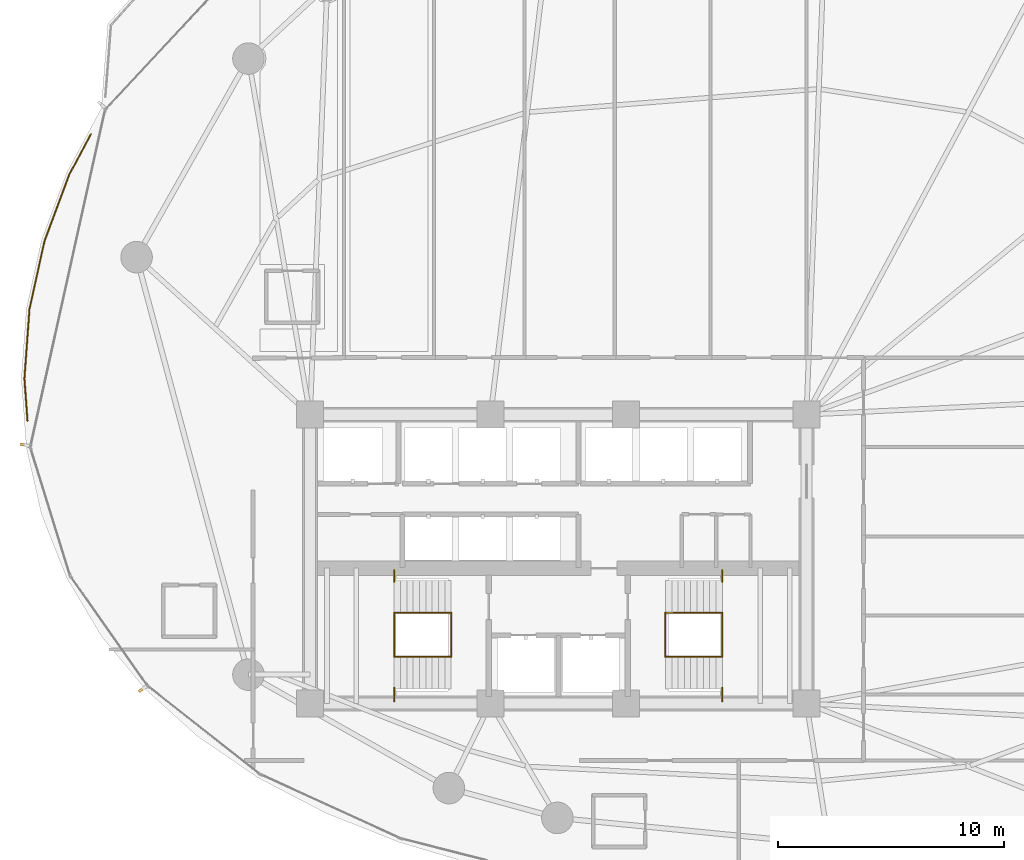
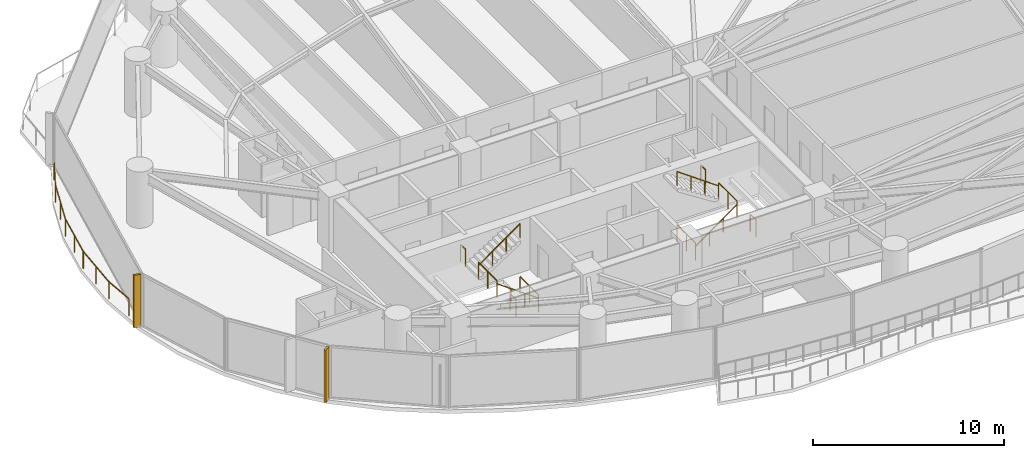
# One storey, part 30 of 33: 13 railings, 2 shading devices.
"""IFC4 building model written with IfcOpenShell, lengths in metres."""

from ifc_helpers import new_model, si_unit, direction, frame, origin, origin_2d, place, context, subcontext, project, spatial, rectangle, extrude, material, type_object, element, save


model = new_model("IFC4")

# Units and contexts
model_context = context("Model", 3, precision=1e-05, world=origin(), true_north=direction((0.0, 1.0)))
body_context = subcontext(model_context, "Body", "Model", "MODEL_VIEW")
ifc_project = project(units=[si_unit("LENGTHUNIT", "METRE"), si_unit("AREAUNIT", "SQUARE_METRE"), si_unit("VOLUMEUNIT", "CUBIC_METRE"), si_unit("PLANEANGLEUNIT", "RADIAN"), si_unit("MASSUNIT", "GRAM", prefix="KILO")], contexts=[model_context])

# Site, building, storey
site_placement = place(None, origin())
site = spatial("IfcSite", under=ifc_project, at=site_placement, CompositionType="ELEMENT")
building_placement = place(site_placement, origin())
building = spatial("IfcBuilding", under=site, at=building_placement, Name="Kazevale Care Tower and Concert Hall", CompositionType="ELEMENT")
storey_placement = place(building_placement, frame((0.0, 0.0, 27.60009765625)))
storey = spatial("IfcBuildingStorey", under=building, at=storey_placement, Name="L06", CompositionType="ELEMENT", Elevation=27.60009765625)

# Railings
ifc_material_1 = material(Name="Anodised Bronze Aluminium and Laminated Glass", Category="aluminium")
railing_type_1 = type_object("IfcRailingType", Name="Balcony and Terrace Balustrade 1120", PredefinedType="BALUSTRADE", material=ifc_material_1)
railing_1_placement = place(storey_placement, frame((9.47705078125, 36.139892578125, 0.0)))
element("IfcRailing", 1, at=railing_1_placement, inside=storey, type_object=railing_type_1, Name="rail:L06:perim:1", PredefinedType="BALUSTRADE", context=body_context, shape_type="SweptSolid", body=[
    extrude(rectangle(XDim=0.048095703125, YDim=0.048095703125, at=origin_2d()), frame((0.0, 0.0, 1.09619140625), z_axis=(-0.073432916276, 0.997300158832, 0.0), x_axis=(-0.997300158832, -0.073432916276, 0.0)), (0.0, 0.0, 1.0), 1.865234375),
    extrude(rectangle(XDim=0.048095703125, YDim=0.048095703125, at=origin_2d()), frame((-0.136962890625, 1.860107421875, 1.09619140625), z_axis=(0.072729345696, 0.997351714429, 0.0), x_axis=(-0.997351714429, 0.072729345696, 0.0)), (0.0, 0.0, 1.0), 3.078125),
    extrude(rectangle(XDim=0.048095703125, YDim=0.048095703125, at=origin_2d()), frame((0.0869140625, 4.93017578125, 1.09619140625), z_axis=(0.215148295556, 0.976581389808, 0.0), x_axis=(-0.976581389808, 0.215148295556, 0.0)), (0.0, 0.0, 1.0), 3.104736328125),
    extrude(rectangle(XDim=0.048095703125, YDim=0.048095703125, at=origin_2d()), frame((0.7548828125, 7.962158203125, 1.09619140625), z_axis=(0.350139798457, 0.936697454644, 0.0), x_axis=(-0.936697454644, 0.350139798457, 0.0)), (0.0, 0.0, 1.0), 3.15576171875),
    extrude(rectangle(XDim=0.048095703125, YDim=0.048095703125, at=origin_2d()), frame((1.85986328125, 10.918212890625, 1.09619140625), z_axis=(0.473074439741, 0.881022459682, 0.0), x_axis=(-0.881022459682, 0.473074439741, 0.0)), (0.0, 0.0, 1.0), 2.016845703125),
    extrude(rectangle(XDim=0.0419921875, YDim=0.0419921875, at=origin_2d()), origin(), (0.0, 0.0, 1.0), 1.072021484375),
    extrude(rectangle(XDim=0.0419921875, YDim=0.0419921875, at=origin_2d()), frame((-0.136962890625, 1.860107421875, 0.0)), (0.0, 0.0, 1.0), 1.072021484375),
    extrude(rectangle(XDim=0.0419921875, YDim=0.0419921875, at=origin_2d()), frame((-0.02490234375, 3.39501953125, 0.0)), (0.0, 0.0, 1.0), 1.072021484375),
    extrude(rectangle(XDim=0.0419921875, YDim=0.0419921875, at=origin_2d()), frame((0.0869140625, 4.93017578125, 0.0)), (0.0, 0.0, 1.0), 1.072021484375),
    extrude(rectangle(XDim=0.0419921875, YDim=0.0419921875, at=origin_2d()), frame((0.4208984375, 6.4462890625, 0.0)), (0.0, 0.0, 1.0), 1.072021484375),
    extrude(rectangle(XDim=0.0419921875, YDim=0.0419921875, at=origin_2d()), frame((0.7548828125, 7.962158203125, 0.0)), (0.0, 0.0, 1.0), 1.072021484375),
    extrude(rectangle(XDim=0.0419921875, YDim=0.0419921875, at=origin_2d()), frame((1.307373046875, 9.440185546875, 0.0)), (0.0, 0.0, 1.0), 1.072021484375),
    extrude(rectangle(XDim=0.0419921875, YDim=0.0419921875, at=origin_2d()), frame((1.85986328125, 10.918212890625, 0.0)), (0.0, 0.0, 1.0), 1.072021484375),
    extrude(rectangle(XDim=0.0419921875, YDim=0.0419921875, at=origin_2d()), frame((2.81396484375, 12.695068359375, 0.0)), (0.0, 0.0, 1.0), 1.072021484375),
])
ifc_material_2 = material(Name="Stainless Steel 316", Category="steel")
railing_type_2 = type_object("IfcRailingType", Name="Stair Pitch Handrail 920", PredefinedType="HANDRAIL", material=ifc_material_2)
railing_2_placement = place(storey_placement, frame((28.25, 25.679931640625, 0.0)))
element("IfcRailing", 2, at=railing_2_placement, inside=storey, type_object=railing_type_2, Name="stair:L06:ST1:hr1", PredefinedType="HANDRAIL", context=body_context, shape_type="SweptSolid", body=[
    extrude(rectangle(XDim=0.048095703125, YDim=0.048095703125, at=origin_2d()), frame((0.0, 0.0, 0.89599609375), z_axis=(-0.813765431312, 0.0, 0.581193446971), x_axis=(0.0, -1.0, 0.0)), (0.0, 0.0, 1.0), 3.0966796875),
    extrude(rectangle(XDim=0.0419921875, YDim=0.0419921875, at=origin_2d()), origin(), (0.0, 0.0, 1.0), 0.871826171875),
    extrude(rectangle(XDim=0.0419921875, YDim=0.0419921875, at=origin_2d()), frame((-0.840087890625, 0.0, 0.599853515625)), (0.0, 0.0, 1.0), 0.871826171875),
    extrude(rectangle(XDim=0.0419921875, YDim=0.0419921875, at=origin_2d()), frame((-1.679931640625, 0.0, 1.199951171875)), (0.0, 0.0, 1.0), 0.871826171875),
    extrude(rectangle(XDim=0.0419921875, YDim=0.0419921875, at=origin_2d()), frame((-2.52001953125, 0.0, 1.7998046875)), (0.0, 0.0, 1.0), 0.871826171875),
])
railing_3_placement = place(storey_placement, frame((25.72998046875, 27.6201171875, 1.7998046875)))
element("IfcRailing", 3, at=railing_3_placement, inside=storey, type_object=railing_type_2, Name="stair:L06:ST1:hr2", PredefinedType="HANDRAIL", context=body_context, shape_type="SweptSolid", body=[
    extrude(rectangle(XDim=0.048095703125, YDim=0.048095703125, at=origin_2d()), frame((0.0, 0.0, 0.89599609375), z_axis=(0.813728144527, 0.0, 0.581245650998), x_axis=(0.0, 1.0, 0.0)), (0.0, 0.0, 1.0), 3.096923828125),
    extrude(rectangle(XDim=0.0419921875, YDim=0.0419921875, at=origin_2d()), origin(), (0.0, 0.0, 1.0), 0.871826171875),
    extrude(rectangle(XDim=0.0419921875, YDim=0.0419921875, at=origin_2d()), frame((0.840087890625, 0.0, 0.60009765625)), (0.0, 0.0, 1.0), 0.871826171875),
    extrude(rectangle(XDim=0.0419921875, YDim=0.0419921875, at=origin_2d()), frame((1.679931640625, 0.0, 1.199951171875)), (0.0, 0.0, 1.0), 0.871826171875),
    extrude(rectangle(XDim=0.0419921875, YDim=0.0419921875, at=origin_2d()), frame((2.52001953125, 0.0, 1.800048828125)), (0.0, 0.0, 1.0), 0.871826171875),
])
railing_4_placement = place(storey_placement, frame((37.75, 25.679931640625, 0.0)))
element("IfcRailing", 4, at=railing_4_placement, inside=storey, type_object=railing_type_2, Name="stair:L06:ST2:hr1", PredefinedType="HANDRAIL", context=body_context, shape_type="SweptSolid", body=[
    extrude(rectangle(XDim=0.048095703125, YDim=0.048095703125, at=origin_2d()), frame((0.0, 0.0, 0.89599609375), z_axis=(0.813765431312, 0.0, 0.581193446971), x_axis=(0.0, 1.0, 0.0)), (0.0, 0.0, 1.0), 3.0966796875),
    extrude(rectangle(XDim=0.0419921875, YDim=0.0419921875, at=origin_2d()), origin(), (0.0, 0.0, 1.0), 0.871826171875),
    extrude(rectangle(XDim=0.0419921875, YDim=0.0419921875, at=origin_2d()), frame((0.840087890625, 0.0, 0.599853515625)), (0.0, 0.0, 1.0), 0.871826171875),
    extrude(rectangle(XDim=0.0419921875, YDim=0.0419921875, at=origin_2d()), frame((1.679931640625, 0.0, 1.199951171875)), (0.0, 0.0, 1.0), 0.871826171875),
    extrude(rectangle(XDim=0.0419921875, YDim=0.0419921875, at=origin_2d()), frame((2.52001953125, 0.0, 1.7998046875)), (0.0, 0.0, 1.0), 0.871826171875),
])
railing_5_placement = place(storey_placement, frame((40.27001953125, 27.6201171875, 1.7998046875)))
element("IfcRailing", 5, at=railing_5_placement, inside=storey, type_object=railing_type_2, Name="stair:L06:ST2:hr2", PredefinedType="HANDRAIL", context=body_context, shape_type="SweptSolid", body=[
    extrude(rectangle(XDim=0.048095703125, YDim=0.048095703125, at=origin_2d()), frame((0.0, 0.0, 0.89599609375), z_axis=(-0.813728144527, 0.0, 0.581245650998), x_axis=(0.0, -1.0, 0.0)), (0.0, 0.0, 1.0), 3.096923828125),
    extrude(rectangle(XDim=0.0419921875, YDim=0.0419921875, at=origin_2d()), origin(), (0.0, 0.0, 1.0), 0.871826171875),
    extrude(rectangle(XDim=0.0419921875, YDim=0.0419921875, at=origin_2d()), frame((-0.840087890625, 0.0, 0.60009765625)), (0.0, 0.0, 1.0), 0.871826171875),
    extrude(rectangle(XDim=0.0419921875, YDim=0.0419921875, at=origin_2d()), frame((-1.679931640625, 0.0, 1.199951171875)), (0.0, 0.0, 1.0), 0.871826171875),
    extrude(rectangle(XDim=0.0419921875, YDim=0.0419921875, at=origin_2d()), frame((-2.52001953125, 0.0, 1.800048828125)), (0.0, 0.0, 1.0), 0.871826171875),
])
railing_type_3 = type_object("IfcRailingType", Name="Stair Well Guard Balustrade 1120", PredefinedType="BALUSTRADE", material=ifc_material_2)
railing_6_placement = place(storey_placement, frame((25.72998046875, 23.699951171875, 1.7998046875)))
element("IfcRailing", 6, at=railing_6_placement, inside=storey, type_object=railing_type_3, Name="stair:L06:ST1:grd_side1", PredefinedType="BALUSTRADE", context=body_context, shape_type="SweptSolid", body=[
    extrude(rectangle(XDim=0.048095703125, YDim=0.048095703125, at=origin_2d()), frame((0.0, 0.0, 1.09619140625), z_axis=(0.0, 1.0, 0.0), x_axis=(-1.0, 0.0, 0.0)), (0.0, 0.0, 1.0), 0.610107421875),
    extrude(rectangle(XDim=0.0419921875, YDim=0.0419921875, at=origin_2d()), origin(), (0.0, 0.0, 1.0), 1.072021484375),
    extrude(rectangle(XDim=0.0419921875, YDim=0.0419921875, at=origin_2d()), frame((0.0, 0.610107421875, 0.0)), (0.0, 0.0, 1.0), 1.072021484375),
])
railing_7_placement = place(storey_placement, frame((25.72998046875, 28.989990234375, 1.7998046875)))
element("IfcRailing", 7, at=railing_7_placement, inside=storey, type_object=railing_type_3, Name="stair:L06:ST1:grd_side2", PredefinedType="BALUSTRADE", context=body_context, shape_type="SweptSolid", body=[
    extrude(rectangle(XDim=0.048095703125, YDim=0.048095703125, at=origin_2d()), frame((0.0, 0.0, 1.09619140625), z_axis=(0.0, 1.0, 0.0), x_axis=(-1.0, 0.0, 0.0)), (0.0, 0.0, 1.0), 0.510009765625),
    extrude(rectangle(XDim=0.0419921875, YDim=0.0419921875, at=origin_2d()), origin(), (0.0, 0.0, 1.0), 1.072021484375),
    extrude(rectangle(XDim=0.0419921875, YDim=0.0419921875, at=origin_2d()), frame((0.0, 0.510009765625, 0.0)), (0.0, 0.0, 1.0), 1.072021484375),
])
for number, where, name in (
    (8, (25.72998046875, 25.679931640625, 1.7998046875), "stair:L06:ST1:grd_mid"),
    (9, (28.25, 25.679931640625, 0.0), "stair:L06:ST1:grd_flr"),
):
    element("IfcRailing", number, at=place(storey_placement, frame(where)), inside=storey, type_object=railing_type_3, Name=name, PredefinedType="BALUSTRADE", context=body_context, shape_type="SweptSolid", body=[
        extrude(rectangle(XDim=0.048095703125, YDim=0.048095703125, at=origin_2d()), frame((0.0, 0.0, 1.09619140625), z_axis=(0.0, 1.0, 0.0), x_axis=(-1.0, 0.0, 0.0)), (0.0, 0.0, 1.0), 1.940185546875),
        extrude(rectangle(XDim=0.0419921875, YDim=0.0419921875, at=origin_2d()), origin(), (0.0, 0.0, 1.0), 1.072021484375),
        extrude(rectangle(XDim=0.0419921875, YDim=0.0419921875, at=origin_2d()), frame((0.0, 0.97021484375, 0.0)), (0.0, 0.0, 1.0), 1.072021484375),
        extrude(rectangle(XDim=0.0419921875, YDim=0.0419921875, at=origin_2d()), frame((0.0, 1.940185546875, 0.0)), (0.0, 0.0, 1.0), 1.072021484375),
    ])
railing_8_placement = place(storey_placement, frame((40.27001953125, 23.699951171875, 1.7998046875)))
element("IfcRailing", 10, at=railing_8_placement, inside=storey, type_object=railing_type_3, Name="stair:L06:ST2:grd_side1", PredefinedType="BALUSTRADE", context=body_context, shape_type="SweptSolid", body=[
    extrude(rectangle(XDim=0.048095703125, YDim=0.048095703125, at=origin_2d()), frame((0.0, 0.0, 1.09619140625), z_axis=(0.0, 1.0, 0.0), x_axis=(-1.0, 0.0, 0.0)), (0.0, 0.0, 1.0), 0.610107421875),
    extrude(rectangle(XDim=0.0419921875, YDim=0.0419921875, at=origin_2d()), origin(), (0.0, 0.0, 1.0), 1.072021484375),
    extrude(rectangle(XDim=0.0419921875, YDim=0.0419921875, at=origin_2d()), frame((0.0, 0.610107421875, 0.0)), (0.0, 0.0, 1.0), 1.072021484375),
])
railing_9_placement = place(storey_placement, frame((40.27001953125, 28.989990234375, 1.7998046875)))
element("IfcRailing", 11, at=railing_9_placement, inside=storey, type_object=railing_type_3, Name="stair:L06:ST2:grd_side2", PredefinedType="BALUSTRADE", context=body_context, shape_type="SweptSolid", body=[
    extrude(rectangle(XDim=0.048095703125, YDim=0.048095703125, at=origin_2d()), frame((0.0, 0.0, 1.09619140625), z_axis=(0.0, 1.0, 0.0), x_axis=(-1.0, 0.0, 0.0)), (0.0, 0.0, 1.0), 0.510009765625),
    extrude(rectangle(XDim=0.0419921875, YDim=0.0419921875, at=origin_2d()), origin(), (0.0, 0.0, 1.0), 1.072021484375),
    extrude(rectangle(XDim=0.0419921875, YDim=0.0419921875, at=origin_2d()), frame((0.0, 0.510009765625, 0.0)), (0.0, 0.0, 1.0), 1.072021484375),
])
for number, where, name in (
    (12, (40.27001953125, 25.679931640625, 1.7998046875), "stair:L06:ST2:grd_mid"),
    (13, (37.75, 25.679931640625, 0.0), "stair:L06:ST2:grd_flr"),
):
    element("IfcRailing", number, at=place(storey_placement, frame(where)), inside=storey, type_object=railing_type_3, Name=name, PredefinedType="BALUSTRADE", context=body_context, shape_type="SweptSolid", body=[
        extrude(rectangle(XDim=0.048095703125, YDim=0.048095703125, at=origin_2d()), frame((0.0, 0.0, 1.09619140625), z_axis=(0.0, 1.0, 0.0), x_axis=(-1.0, 0.0, 0.0)), (0.0, 0.0, 1.0), 1.940185546875),
        extrude(rectangle(XDim=0.0419921875, YDim=0.0419921875, at=origin_2d()), origin(), (0.0, 0.0, 1.0), 1.072021484375),
        extrude(rectangle(XDim=0.0419921875, YDim=0.0419921875, at=origin_2d()), frame((0.0, 0.97021484375, 0.0)), (0.0, 0.0, 1.0), 1.072021484375),
        extrude(rectangle(XDim=0.0419921875, YDim=0.0419921875, at=origin_2d()), frame((0.0, 1.940185546875, 0.0)), (0.0, 0.0, 1.0), 1.072021484375),
    ])

# Shading devices
ifc_material_3 = material(Name="Honed Ochre Limestone", Category="masonry")
shading_device_type = type_object("IfcShadingDeviceType", Name="Vertical Honed Limestone Fin FIN-01", PredefinedType="USERDEFINED", material=ifc_material_3)
for number, where, z_axis, x_axis, name in (
    (14, (14.5693359375, 24.23779296875, 0.0), (0.0, 0.0, 1.0), (-0.817547124842, -0.575861700985, 0.0), "cw:L06:f11:fin"),
    (15, (9.34326171875, 35.056884765625, 0.0), (0.0, 0.0, 1.0), (-0.97629600712, 0.216439613938, 0.0), "cw:L06:f13:fin"),
):
    element("IfcShadingDevice", number, at=place(storey_placement, frame(where, z_axis=z_axis, x_axis=x_axis)), inside=storey, type_object=shading_device_type, Name=name, ObjectType="FIN", PredefinedType="USERDEFINED", context=body_context, shape_type="SweptSolid", body=[
        extrude(rectangle(XDim=0.3798828125, YDim=0.1201171875, at=origin_2d()), origin(), (0.0, 0.0, 1.0), 3.360107421875),
    ])

save(model, "model.ifc")
